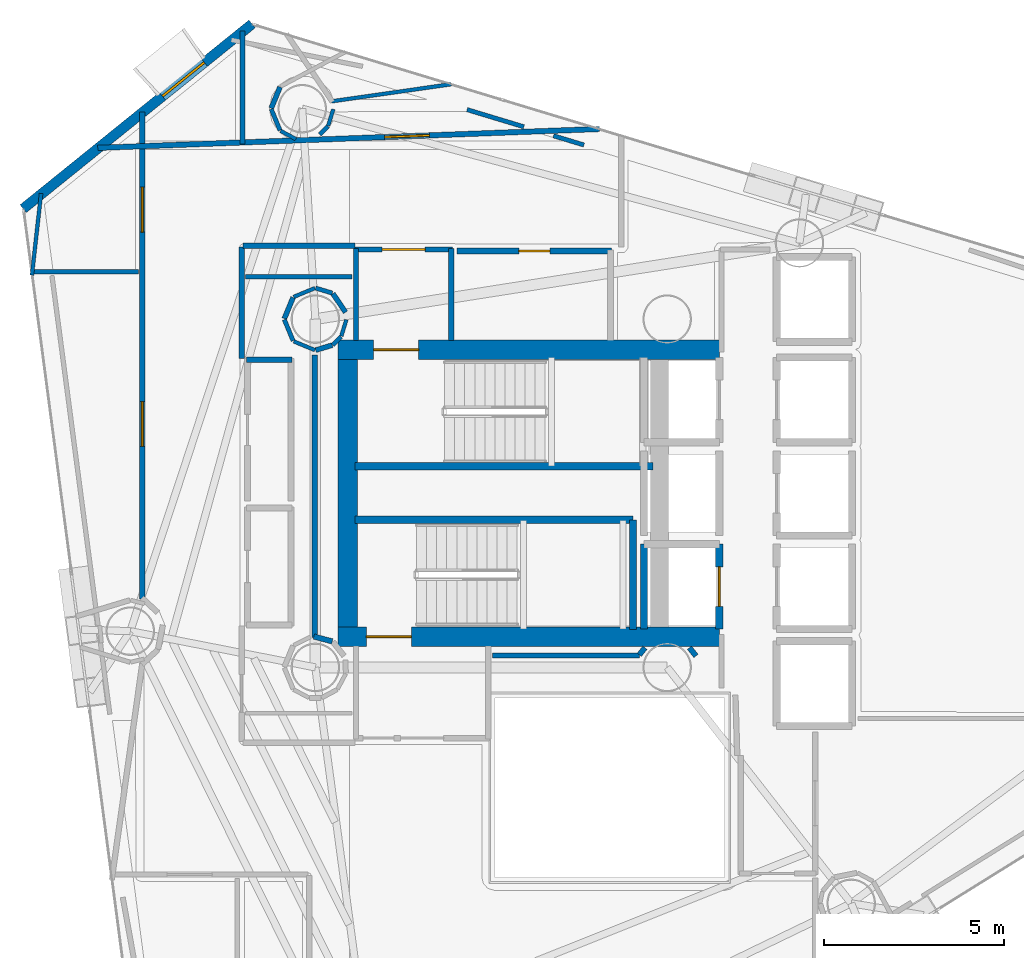
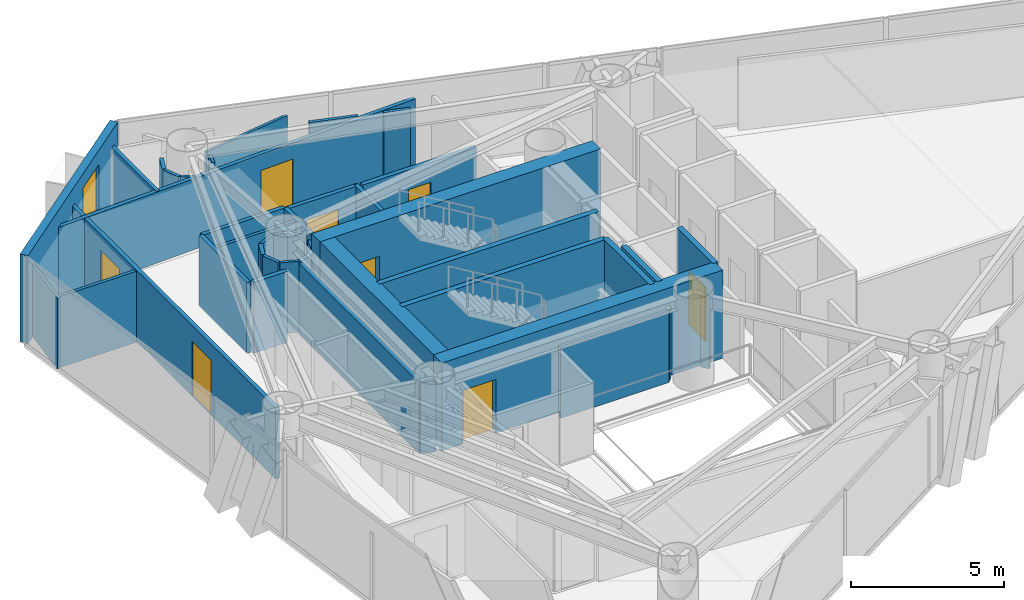
# One storey, part 19 of 22: 44 walls, 8 doors, 1 window, 9 openings.
"""IFC4 building model written with IfcOpenShell, lengths in metres."""

from ifc_helpers import new_model, si_unit, direction, frame, frame_2d, origin, place, context, subcontext, project, spatial, rectangle, extrude, material, layer, layer_set, type_object, element, fill, save


model = new_model("IFC4")

# Units and contexts
model_context = context("Model", 3, precision=1e-05, world=origin(), true_north=direction((0.0, 1.0)))
body_context = subcontext(model_context, "Body", "Model", "MODEL_VIEW")
ifc_project = project(units=[si_unit("LENGTHUNIT", "METRE"), si_unit("AREAUNIT", "SQUARE_METRE"), si_unit("VOLUMEUNIT", "CUBIC_METRE"), si_unit("PLANEANGLEUNIT", "RADIAN"), si_unit("MASSUNIT", "GRAM", prefix="KILO")], contexts=[model_context])

# Site, building, storey
site_placement = place(None, origin())
site = spatial("IfcSite", under=ifc_project, at=site_placement, CompositionType="ELEMENT")
building_placement = place(site_placement, origin())
building = spatial("IfcBuilding", under=site, at=building_placement, Name="Qianvela Tower", CompositionType="ELEMENT")
storey_placement = place(building_placement, frame((0.0, 0.0, 177.199951171875)))
storey = spatial("IfcBuildingStorey", under=building, at=storey_placement, Name="L45", CompositionType="ELEMENT", Elevation=177.199951171875)

# Wall, opening, window
ifc_material_1 = material(Name="Terracotta Cladding on Concrete C40", Category="masonry")
ifc_layer_1 = layer(ifc_material_1, 0.280029296875)
ifc_layer_set_1 = layer_set([ifc_layer_1], Name="Terracotta Cladding on Concrete C40")
wall_type_1 = type_object("IfcWallType", Name="TERRACOTTA-WALL-280", PredefinedType="SOLIDWALL", material=ifc_layer_set_1)
wall_1_placement = place(storey_placement, frame((26.83837890625, 41.77197265625, 0.0), z_axis=(0.0, 0.0, 1.0), x_axis=(-0.778169685425, -0.628054090573, 0.0)))
wall_1 = element("IfcWall", 1, at=wall_1_placement, inside=storey, type_object=wall_type_1, Name="L45 Terracotta Chamfer Facet Wall 3", PredefinedType="SOLIDWALL", context=body_context, shape_type="SweptSolid", body=[
    extrude(rectangle(XDim=8.193603515625, YDim=0.280029296875, at=frame_2d((4.0966796875, 0.0))), origin(), (0.0, 0.0, 1.0), 3.52001953125),
])
opening_1_placement = place(wall_1_placement, frame((1.7080078125, 0.0, 0.85009765625)))
opening_1 = element("IfcOpeningElement", 2, at=opening_1_placement, cuts=wall_1, Name="Opening W-02", PredefinedType="OPENING", context=body_context, shape_type="SweptSolid", body=[
    extrude(rectangle(XDim=1.5, YDim=2.10009765625, at=frame_2d((0.75, 1.050048828125))), frame((0.0, 0.14990234375, 0.0), z_axis=(0.0, -1.0, 0.0), x_axis=(1.0, 0.0, 0.0)), (0.0, 0.0, 1.0), 0.300048828125),
])
ifc_material_2 = material(Name="Thermally Broken Aluminium and Low-E Glass", Category="aluminium")
window_type = type_object("IfcWindowType", Name="WIN-TC-1500x2100", PartitioningType="DOUBLE_PANEL_VERTICAL", PredefinedType="WINDOW", material=ifc_material_2)
window_placement = place(opening_1_placement, origin())
window = element("IfcWindow", 3, at=window_placement, inside=storey, type_object=window_type, Name="L45 Chamfer Facet Window 3.1", OverallHeight=2.10009765625, OverallWidth=1.5, PartitioningType="SINGLE_PANEL", PredefinedType="WINDOW", context=body_context, shape_type="SweptSolid", body=[
    extrude(rectangle(XDim=1.5, YDim=2.10009765625, at=frame_2d((0.75, 1.050048828125))), frame((0.0, 0.030029296875, 0.0), z_axis=(0.0, -1.0, 0.0), x_axis=(1.0, 0.0, 0.0)), (0.0, 0.0, 1.0), 0.06005859375),
])
fill(opening_1, window)

# Wall, opening, door
ifc_material_3 = material(Name="Concrete C60", Category="concrete")
ifc_layer_2 = layer(ifc_material_3, 0.550048828125)
ifc_layer_set_2 = layer_set([ifc_layer_2], Name="Concrete C60")
wall_type_2 = type_object("IfcWallType", Name="WT-CORE-550", PredefinedType="SHEAR", material=ifc_layer_set_2)
wall_2_placement = place(storey_placement, frame((29.22998046875, 32.695068359375, 0.0), z_axis=(0.0, 0.0, 1.0), x_axis=(1.0, 0.0, 0.0)))
wall_2 = element("IfcWall", 4, at=wall_2_placement, inside=storey, type_object=wall_type_2, Name="L45 North Core Shear Wall", PredefinedType="SHEAR", context=body_context, shape_type="SweptSolid", body=[
    extrude(rectangle(XDim=10.6201171875, YDim=0.550048828125, at=frame_2d((5.31005859375, 0.0))), origin(), (0.0, 0.0, 1.0), 3.52001953125),
])
opening_2_placement = place(wall_2_placement, frame((0.9951171875, 0.0, 0.0)))
opening_2 = element("IfcOpeningElement", 5, at=opening_2_placement, cuts=wall_2, Name="Opening D-ST1", PredefinedType="OPENING", context=body_context, shape_type="SweptSolid", body=[
    extrude(rectangle(XDim=1.25, YDim=2.14990234375, at=frame_2d((0.625, 1.074951171875))), frame((0.0, 0.284912109375, 0.0), z_axis=(0.0, -1.0, 0.0), x_axis=(1.0, 0.0, 0.0)), (0.0, 0.0, 1.0), 0.570068359375),
])
ifc_material_4 = material(Name="Galvanised Fire Steel Q355B", Category="steel")
door_type_1 = type_object("IfcDoorType", Name="DT-STAIR-FD90", OperationType="NOTDEFINED", PredefinedType="DOOR", material=ifc_material_4)
door_1_placement = place(opening_2_placement, origin())
door_1 = element("IfcDoor", 6, at=door_1_placement, inside=storey, type_object=door_type_1, Name="L45 Stair ST-1 Exit Door", OperationType="SINGLE_SWING_RIGHT", OverallHeight=2.14990234375, OverallWidth=1.25, PredefinedType="DOOR", context=body_context, shape_type="SweptSolid", body=[
    extrude(rectangle(XDim=1.25, YDim=2.14990234375, at=frame_2d((0.625, 1.074951171875))), frame((0.0, 0.02490234375, 0.0), z_axis=(0.0, -1.0, 0.0), x_axis=(1.0, 0.0, 0.0)), (0.0, 0.0, 1.0), 0.050048828125),
])
fill(opening_2, door_1)

wall_3_placement = place(storey_placement, frame((29.22998046875, 24.705078125, 0.0), z_axis=(0.0, 0.0, 1.0), x_axis=(1.0, 0.0, 0.0)))
wall_3 = element("IfcWall", 7, at=wall_3_placement, inside=storey, type_object=wall_type_2, Name="L45 South Core Shear Wall", PredefinedType="SHEAR", context=body_context, shape_type="SweptSolid", body=[
    extrude(rectangle(XDim=10.6201171875, YDim=0.550048828125, at=frame_2d((5.31005859375, 0.0))), origin(), (0.0, 0.0, 1.0), 3.52001953125),
])
opening_3_placement = place(wall_3_placement, frame((0.794921875, 0.0, 0.0)))
opening_3 = element("IfcOpeningElement", 8, at=opening_3_placement, cuts=wall_3, Name="Opening D-ST1", PredefinedType="OPENING", context=body_context, shape_type="SweptSolid", body=[
    extrude(rectangle(XDim=1.25, YDim=2.14990234375, at=frame_2d((0.625, 1.074951171875))), frame((0.0, 0.284912109375, 0.0), z_axis=(0.0, -1.0, 0.0), x_axis=(1.0, 0.0, 0.0)), (0.0, 0.0, 1.0), 0.570068359375),
])
door_2_placement = place(opening_3_placement, origin())
door_2 = element("IfcDoor", 9, at=door_2_placement, inside=storey, type_object=door_type_1, Name="L45 Stair ST-2 Exit Door", OperationType="SINGLE_SWING_LEFT", OverallHeight=2.14990234375, OverallWidth=1.25, PredefinedType="DOOR", context=body_context, shape_type="SweptSolid", body=[
    extrude(rectangle(XDim=1.25, YDim=2.14990234375, at=frame_2d((0.625, 1.074951171875))), frame((0.0, 0.02490234375, 0.0), z_axis=(0.0, -1.0, 0.0), x_axis=(1.0, 0.0, 0.0)), (0.0, 0.0, 1.0), 0.050048828125),
])
fill(opening_3, door_2)

# Walls
wall_4_placement = place(storey_placement, frame((29.5048828125, 24.97998046875, 0.0), z_axis=(0.0, 0.0, 1.0), x_axis=(0.0, 1.0, 0.0)))
element("IfcWall", 10, at=wall_4_placement, inside=storey, type_object=wall_type_2, Name="L45 West Core Shear Wall", PredefinedType="SHEAR", context=body_context, shape_type="SweptSolid", body=[
    extrude(rectangle(XDim=7.43994140625, YDim=0.550048828125, at=frame_2d((3.719970703125, 0.0))), origin(), (0.0, 0.0, 1.0), 3.52001953125),
])
ifc_material_5 = material(Name="Fire-Rated Acoustic Gypsum Board")
ifc_layer_3 = layer(ifc_material_5, 0.14990234375)
ifc_layer_set_3 = layer_set([ifc_layer_3], Name="Fire-Rated Acoustic Gypsum Board")
wall_type_3 = type_object("IfcWallType", Name="WT-CORR-150", PredefinedType="PARTITIONING", material=ifc_layer_set_3)
wall_5_placement = place(storey_placement, frame((29.73095703125, 32.9580078125, 0.0), z_axis=(0.0, 0.0, 1.0), x_axis=(0.0, 1.0, 0.0)))
element("IfcWall", 11, at=wall_5_placement, inside=storey, type_object=wall_type_3, Name="L45 Partition 2", PredefinedType="PARTITIONING", context=body_context, shape_type="SweptSolid", body=[
    extrude(rectangle(XDim=2.56201171875, YDim=0.14990234375, at=frame_2d((1.281005859375, 0.0))), origin(), (0.0, 0.0, 1.0), 2.840087890625),
])

# Wall, opening, door
wall_6_placement = place(storey_placement, frame((29.699951171875, 35.489013671875, 0.0), z_axis=(0.0, 0.0, 1.0), x_axis=(1.0, 0.0, 0.0)))
wall_6 = element("IfcWall", 12, at=wall_6_placement, inside=storey, type_object=wall_type_3, Name="L45 Partition 3", PredefinedType="PARTITIONING", context=body_context, shape_type="SweptSolid", body=[
    extrude(rectangle(XDim=2.719970703125, YDim=0.14990234375, at=frame_2d((1.35986328125, 0.0))), origin(), (0.0, 0.0, 1.0), 2.840087890625),
])
opening_4_placement = place(wall_6_placement, frame((0.760009765625, 0.0, 0.0)))
opening_4 = element("IfcOpeningElement", 13, at=opening_4_placement, cuts=wall_6, Name="Opening D-LB1", PredefinedType="OPENING", context=body_context, shape_type="SweptSolid", body=[
    extrude(rectangle(XDim=1.199951171875, YDim=2.14990234375, at=frame_2d((0.60009765625, 1.074951171875))), frame((0.0, 0.0849609375, 0.0), z_axis=(0.0, -1.0, 0.0), x_axis=(1.0, 0.0, 0.0)), (0.0, 0.0, 1.0), 0.169921875),
])
ifc_material_6 = material(Name="Glazed Fire-Rated Steel Frame", Category="steel")
door_type_2 = type_object("IfcDoorType", Name="DT-LOBBY-FD90", OperationType="NOTDEFINED", PredefinedType="DOOR", material=ifc_material_6)
door_3_placement = place(opening_4_placement, origin())
door_3 = element("IfcDoor", 14, at=door_3_placement, inside=storey, type_object=door_type_2, Name="L45 Door L45 Firefighting Lobby North to L45 Floor Corridor", OperationType="SINGLE_SWING_LEFT", OverallHeight=2.14990234375, OverallWidth=1.199951171875, PredefinedType="DOOR", context=body_context, shape_type="SweptSolid", body=[
    extrude(rectangle(XDim=1.199951171875, YDim=2.14990234375, at=frame_2d((0.60009765625, 1.074951171875))), frame((0.0, 0.02490234375, 0.0), z_axis=(0.0, -1.0, 0.0), x_axis=(1.0, 0.0, 0.0)), (0.0, 0.0, 1.0), 0.050048828125),
])
fill(opening_4, door_3)

# Walls
wall_7_placement = place(storey_placement, frame((32.388916015625, 35.52001953125, 0.0), z_axis=(0.0, 0.0, 1.0), x_axis=(0.0, -1.0, 0.0)))
element("IfcWall", 15, at=wall_7_placement, inside=storey, type_object=wall_type_3, Name="L45 Partition 4", PredefinedType="PARTITIONING", context=body_context, shape_type="SweptSolid", body=[
    extrude(rectangle(XDim=2.56201171875, YDim=0.14990234375, at=frame_2d((1.281005859375, 0.0))), origin(), (0.0, 0.0, 1.0), 2.840087890625),
])
wall_8_placement = place(storey_placement, frame((29.07177734375, 24.57421875, 0.0), z_axis=(0.0, 0.0, 1.0), x_axis=(-0.966842101769, 0.255374920942, 0.0)))
element("IfcWall", 16, at=wall_8_placement, inside=storey, type_object=wall_type_3, Name="L45 Partition 37", PredefinedType="PARTITIONING", context=body_context, shape_type="SweptSolid", body=[
    extrude(rectangle(XDim=0.531494140625, YDim=0.14990234375, at=frame_2d((0.265625, 0.0))), origin(), (0.0, 0.0, 1.0), 2.840087890625),
])
wall_9_placement = place(storey_placement, frame((28.5810546875, 24.68017578125, 0.0), z_axis=(0.0, 0.0, 1.0), x_axis=(0.0, 1.0, 0.0)))
element("IfcWall", 17, at=wall_9_placement, inside=storey, type_object=wall_type_3, Name="L45 Partition 38", PredefinedType="PARTITIONING", context=body_context, shape_type="SweptSolid", body=[
    extrude(rectangle(XDim=7.869873046875, YDim=0.14990234375, at=frame_2d((3.93505859375, 0.0))), origin(), (0.0, 0.0, 1.0), 2.840087890625),
])
wall_10_placement = place(storey_placement, frame((39.20166015625, 24.169189453125, 0.0), z_axis=(0.0, 0.0, 1.0), x_axis=(-0.622453876994, 0.782656483405, 0.0)))
element("IfcWall", 18, at=wall_10_placement, inside=storey, type_object=wall_type_3, Name="L45 Partition 43", PredefinedType="PARTITIONING", context=body_context, shape_type="SweptSolid", body=[
    extrude(rectangle(XDim=0.29248046875, YDim=0.14990234375, at=frame_2d((0.146240234375, 0.0))), origin(), (0.0, 0.0, 1.0), 2.840087890625),
])
wall_11_placement = place(storey_placement, frame((37.780517578125, 24.398193359375, 0.0), z_axis=(0.0, 0.0, 1.0), x_axis=(-0.622697708845, -0.782462499676, 0.0)))
element("IfcWall", 19, at=wall_11_placement, inside=storey, type_object=wall_type_3, Name="L45 Partition 46", PredefinedType="PARTITIONING", context=body_context, shape_type="SweptSolid", body=[
    extrude(rectangle(XDim=0.253662109375, YDim=0.14990234375, at=frame_2d((0.126953125, 0.0))), origin(), (0.0, 0.0, 1.0), 2.840087890625),
])
wall_12_placement = place(storey_placement, frame((37.62255859375, 24.180908203125, 0.0), z_axis=(0.0, 0.0, 1.0), x_axis=(-1.0, 0.0, 0.0)))
element("IfcWall", 20, at=wall_12_placement, inside=storey, type_object=wall_type_3, Name="L45 Partition 47", PredefinedType="PARTITIONING", context=body_context, shape_type="SweptSolid", body=[
    extrude(rectangle(XDim=4.092529296875, YDim=0.14990234375, at=frame_2d((2.04638671875, 0.0))), origin(), (0.0, 0.0, 1.0), 2.840087890625),
])

# Wall, openings, doors
wall_13_placement = place(storey_placement, frame((23.781005859375, 25.76171875, 0.0), z_axis=(0.0, 0.0, 1.0), x_axis=(0.0, 1.0, 0.0)))
wall_13 = element("IfcWall", 21, at=wall_13_placement, inside=storey, type_object=wall_type_3, Name="L45 Partition 49", PredefinedType="PARTITIONING", context=body_context, shape_type="SweptSolid", body=[
    extrude(rectangle(XDim=13.562744140625, YDim=0.14990234375, at=frame_2d((6.78125, 0.0))), origin(), (0.0, 0.0, 1.0), 2.840087890625),
])
opening_5_placement = place(wall_13_placement, frame((10.2138671875, 0.0, 0.0)))
opening_5 = element("IfcOpeningElement", 22, at=opening_5_placement, cuts=wall_13, Name="Opening D-LG1", PredefinedType="OPENING", context=body_context, shape_type="SweptSolid", body=[
    extrude(rectangle(XDim=1.25, YDim=2.199951171875, at=frame_2d((0.625, 1.10009765625))), frame((0.0, 0.0849609375, 0.0), z_axis=(0.0, -1.0, 0.0), x_axis=(1.0, 0.0, 0.0)), (0.0, 0.0, 1.0), 0.169921875),
])
opening_6_placement = place(wall_13_placement, frame((4.24365234375, 0.0, 0.0)))
opening_6 = element("IfcOpeningElement", 23, at=opening_6_placement, cuts=wall_13, Name="Opening D-LG1", PredefinedType="OPENING", context=body_context, shape_type="SweptSolid", body=[
    extrude(rectangle(XDim=1.25, YDim=2.199951171875, at=frame_2d((0.625, 1.10009765625))), frame((0.0, 0.0849609375, 0.0), z_axis=(0.0, -1.0, 0.0), x_axis=(1.0, 0.0, 0.0)), (0.0, 0.0, 1.0), 0.169921875),
])
ifc_material_7 = material(Name="Anodised Aluminium Acoustic Glass Door", Category="aluminium")
door_type_3 = type_object("IfcDoorType", Name="DT-LOUNGE-1250", OperationType="NOTDEFINED", PredefinedType="DOOR", material=ifc_material_7)
door_4_placement = place(opening_5_placement, origin())
door_4 = element("IfcDoor", 24, at=door_4_placement, inside=storey, type_object=door_type_3, Name="L45 Door Media Practice Cinema L45-06 to L45 Floor Corridor", OperationType="SINGLE_SWING_RIGHT", OverallHeight=2.199951171875, OverallWidth=1.25, PredefinedType="DOOR", context=body_context, shape_type="SweptSolid", body=[
    extrude(rectangle(XDim=1.25, YDim=2.199951171875, at=frame_2d((0.625, 1.10009765625))), frame((0.0, 0.02490234375, 0.0), z_axis=(0.0, -1.0, 0.0), x_axis=(1.0, 0.0, 0.0)), (0.0, 0.0, 1.0), 0.050048828125),
])
fill(opening_5, door_4)
door_5_placement = place(opening_6_placement, origin())
door_5 = element("IfcDoor", 25, at=door_5_placement, inside=storey, type_object=door_type_3, Name="L45 Door Student Wellness Lounge L45-08 to L45 Floor Corridor", OperationType="SINGLE_SWING_LEFT", OverallHeight=2.199951171875, OverallWidth=1.25, PredefinedType="DOOR", context=body_context, shape_type="SweptSolid", body=[
    extrude(rectangle(XDim=1.25, YDim=2.199951171875, at=frame_2d((0.625, 1.10009765625))), frame((0.0, 0.02490234375, 0.0), z_axis=(0.0, -1.0, 0.0), x_axis=(1.0, 0.0, 0.0)), (0.0, 0.0, 1.0), 0.050048828125),
])
fill(opening_6, door_5)

# Wall, opening, door
wall_14_placement = place(storey_placement, frame((22.5400390625, 38.319091796875, 0.0), z_axis=(0.0, 0.0, 1.0), x_axis=(0.999291800656, 0.037628408709, 0.0)))
wall_14 = element("IfcWall", 26, at=wall_14_placement, inside=storey, type_object=wall_type_3, Name="L45 Partition 50", PredefinedType="PARTITIONING", context=body_context, shape_type="SweptSolid", body=[
    extrude(rectangle(XDim=13.982177734375, YDim=0.14990234375, at=frame_2d((6.9912109375, 0.0))), origin(), (0.0, 0.0, 1.0), 2.840087890625),
])
opening_7_placement = place(wall_14_placement, frame((7.9931640625, 0.0, 0.0)))
opening_7 = element("IfcOpeningElement", 27, at=opening_7_placement, cuts=wall_14, Name="Opening D-LG1", PredefinedType="OPENING", context=body_context, shape_type="SweptSolid", body=[
    extrude(rectangle(XDim=1.25, YDim=2.199951171875, at=frame_2d((0.625, 1.10009765625))), frame((0.0, 0.0849609375, 0.0), z_axis=(0.0, -1.0, 0.0), x_axis=(1.0, 0.0, 0.0)), (0.0, 0.0, 1.0), 0.169921875),
])
door_6_placement = place(opening_7_placement, origin())
door_6 = element("IfcDoor", 28, at=door_6_placement, inside=storey, type_object=door_type_3, Name="L45 Door Student Reading Library L45-05 to L45 Floor Corridor", OperationType="SINGLE_SWING_LEFT", OverallHeight=2.199951171875, OverallWidth=1.25, PredefinedType="DOOR", context=body_context, shape_type="SweptSolid", body=[
    extrude(rectangle(XDim=1.25, YDim=2.199951171875, at=frame_2d((0.625, 1.10009765625))), frame((0.0, 0.02490234375, 0.0), z_axis=(0.0, -1.0, 0.0), x_axis=(1.0, 0.0, 0.0)), (0.0, 0.0, 1.0), 0.050048828125),
])
fill(opening_7, door_6)

# Walls
wall_15_placement = place(storey_placement, frame((29.699951171875, 35.591064453125, 0.0), z_axis=(0.0, 0.0, 1.0), x_axis=(-1.0, 0.0, 0.0)))
element("IfcWall", 29, at=wall_15_placement, inside=storey, type_object=wall_type_3, Name="L45 Partition 53 seg 3", PredefinedType="PARTITIONING", context=body_context, shape_type="SweptSolid", body=[
    extrude(rectangle(XDim=3.119873046875, YDim=0.14990234375, at=frame_2d((1.56005859375, 0.0))), origin(), (0.0, 0.0, 1.0), 2.840087890625),
])
wall_16_placement = place(storey_placement, frame((26.549072265625, 35.56005859375, 0.0), z_axis=(0.0, 0.0, 1.0), x_axis=(0.0, -1.0, 0.0)))
element("IfcWall", 30, at=wall_16_placement, inside=storey, type_object=wall_type_3, Name="L45 Partition 54 seg 1", PredefinedType="PARTITIONING", context=body_context, shape_type="SweptSolid", body=[
    extrude(rectangle(XDim=3.110107421875, YDim=0.14990234375, at=frame_2d((1.55517578125, 0.0))), origin(), (0.0, 0.0, 1.0), 2.840087890625),
])
ifc_material_8 = material(Name="Lightweight Gypsum Room Partition")
ifc_layer_4 = layer(ifc_material_8, 0.10498046875)
ifc_layer_set_4 = layer_set([ifc_layer_4], Name="Lightweight Gypsum Room Partition")
wall_type_4 = type_object("IfcWallType", Name="WT-PART-105", PredefinedType="PARTITIONING", material=ifc_layer_set_4)
wall_17_placement = place(storey_placement, frame((32.38818359375, 40.0927734375, 0.0), z_axis=(0.0, 0.0, 1.0), x_axis=(-0.989927757158, -0.141573428328, 0.0)))
element("IfcWall", 31, at=wall_17_placement, inside=storey, type_object=wall_type_4, Name="L45 Partition 109", PredefinedType="PARTITIONING", context=body_context, shape_type="SweptSolid", body=[
    extrude(rectangle(XDim=3.371337890625, YDim=0.10498046875, at=frame_2d((1.685546875, 0.0))), origin(), (0.0, 0.0, 1.0), 2.840087890625),
])
wall_18_placement = place(storey_placement, frame((27.6298828125, 38.793212890625, 0.0), z_axis=(0.0, 0.0, 1.0), x_axis=(0.882018256262, -0.471215232798, 0.0)))
element("IfcWall", 32, at=wall_18_placement, inside=storey, type_object=wall_type_4, Name="L45 Partition 115", PredefinedType="PARTITIONING", context=body_context, shape_type="SweptSolid", body=[
    extrude(rectangle(XDim=0.48486328125, YDim=0.10498046875, at=frame_2d((0.242431640625, 0.0))), origin(), (0.0, 0.0, 1.0), 2.840087890625),
])
wall_19_placement = place(storey_placement, frame((28.958984375, 38.93798828125, 0.0), z_axis=(0.0, 0.0, 1.0), x_axis=(0.292866596221, 0.956153312402, 0.0)))
element("IfcWall", 33, at=wall_19_placement, inside=storey, type_object=wall_type_4, Name="L45 Partition 118", PredefinedType="PARTITIONING", context=body_context, shape_type="SweptSolid", body=[
    extrude(rectangle(XDim=0.478515625, YDim=0.10498046875, at=frame_2d((0.2392578125, 0.0))), origin(), (0.0, 0.0, 1.0), 2.840087890625),
])
wall_20_placement = place(storey_placement, frame((20.706787109375, 34.77392578125, 0.0), z_axis=(0.0, 0.0, 1.0), x_axis=(0.111437069181, 0.993771492654, 0.0)))
element("IfcWall", 34, at=wall_20_placement, inside=storey, type_object=wall_type_4, Name="L45 Partition 127", PredefinedType="PARTITIONING", context=body_context, shape_type="SweptSolid", body=[
    extrude(rectangle(XDim=2.29150390625, YDim=0.10498046875, at=frame_2d((1.145751953125, 0.0))), origin(), (0.0, 0.0, 1.0), 2.840087890625),
])
for number, where, z_axis, x_axis, name in (
    (35, (28.588134765625, 34.41357421875, 0.0), (0.0, 0.0, 1.0), (-0.923956302996, -0.382498039412, 0.0), "L45 Partition 136"),
    (36, (27.997802734375, 32.930908203125, 0.0), (0.0, 0.0, 1.0), (0.923821221018, -0.382824178437, 0.0), "L45 Partition 139"),
):
    element("IfcWall", number, at=place(storey_placement, frame(where, z_axis=z_axis, x_axis=x_axis)), inside=storey, type_object=wall_type_4, Name=name, PredefinedType="PARTITIONING", context=body_context, shape_type="SweptSolid", body=[
        extrude(rectangle(XDim=0.638916015625, YDim=0.10498046875, at=frame_2d((0.3193359375, 0.0))), origin(), (0.0, 0.0, 1.0), 2.840087890625),
    ])
wall_21_placement = place(storey_placement, frame((29.323974609375, 33.076904296875, 0.0), z_axis=(0.0, 0.0, 1.0), x_axis=(0.292866596221, 0.956153312402, 0.0)))
element("IfcWall", 37, at=wall_21_placement, inside=storey, type_object=wall_type_4, Name="L45 Partition 142", PredefinedType="PARTITIONING", context=body_context, shape_type="SweptSolid", body=[
    extrude(rectangle(XDim=0.478515625, YDim=0.10498046875, at=frame_2d((0.2392578125, 0.0))), origin(), (0.0, 0.0, 1.0), 2.840087890625),
])
ifc_material_9 = material(Name="Insulated Gypsum Stud Partition")
ifc_layer_5 = layer(ifc_material_9, 0.1201171875)
ifc_layer_set_5 = layer_set([ifc_layer_5], Name="Insulated Gypsum Stud Partition")
wall_type_5 = type_object("IfcWallType", Name="WT-PART-120", PredefinedType="PARTITIONING", material=ifc_layer_set_5)
wall_22_placement = place(storey_placement, frame((27.371337890625, 39.399169921875, 0.0), z_axis=(0.0, 0.0, 1.0), x_axis=(0.38268910224, -0.923877183952, 0.0)))
element("IfcWall", 38, at=wall_22_placement, inside=storey, type_object=wall_type_5, Name="L45 Partition 114", PredefinedType="PARTITIONING", context=body_context, shape_type="SweptSolid", body=[
    extrude(rectangle(XDim=0.63916015625, YDim=0.1201171875, at=frame_2d((0.319580078125, 0.0))), origin(), (0.0, 0.0, 1.0), 2.840087890625),
])
wall_23_placement = place(storey_placement, frame((28.720703125, 38.69482421875, 0.0), z_axis=(0.0, 0.0, 1.0), x_axis=(0.707106781187, 0.707106781187, 0.0)))
element("IfcWall", 39, at=wall_23_placement, inside=storey, type_object=wall_type_5, Name="L45 Partition 117", PredefinedType="PARTITIONING", context=body_context, shape_type="SweptSolid", body=[
    extrude(rectangle(XDim=0.325927734375, YDim=0.1201171875, at=frame_2d((0.1630859375, 0.0))), origin(), (0.0, 0.0, 1.0), 2.840087890625),
])
wall_24_placement = place(storey_placement, frame((32.827392578125, 39.38427734375, 0.0), z_axis=(0.0, 0.0, 1.0), x_axis=(0.957152366176, -0.28958478538, 0.0)))
element("IfcWall", 40, at=wall_24_placement, inside=storey, type_object=wall_type_5, Name="L45 Partition 120", PredefinedType="PARTITIONING", context=body_context, shape_type="SweptSolid", body=[
    extrude(rectangle(XDim=1.651611328125, YDim=0.1201171875, at=frame_2d((0.82568359375, 0.0))), origin(), (0.0, 0.0, 1.0), 2.840087890625),
])
wall_25_placement = place(storey_placement, frame((23.669921875, 34.873046875, 0.0), z_axis=(0.0, 0.0, 1.0), x_axis=(-1.0, 0.0, 0.0)))
element("IfcWall", 41, at=wall_25_placement, inside=storey, type_object=wall_type_5, Name="L45 Partition 126", PredefinedType="PARTITIONING", context=body_context, shape_type="SweptSolid", body=[
    extrude(rectangle(XDim=2.99609375, YDim=0.1201171875, at=frame_2d((1.498046875, 0.0))), origin(), (0.0, 0.0, 1.0), 2.840087890625),
])
wall_26_placement = place(storey_placement, frame((26.659912109375, 34.72705078125, 0.0), z_axis=(0.0, 0.0, 1.0), x_axis=(1.0, 0.0, 0.0)))
element("IfcWall", 42, at=wall_26_placement, inside=storey, type_object=wall_type_5, Name="L45 Partition 132", PredefinedType="PARTITIONING", context=body_context, shape_type="SweptSolid", body=[
    extrude(rectangle(XDim=2.960205078125, YDim=0.1201171875, at=frame_2d((1.47998046875, 0.0))), origin(), (0.0, 0.0, 1.0), 2.840087890625),
])
wall_27_placement = place(storey_placement, frame((29.072998046875, 34.27392578125, 0.0), z_axis=(0.0, 0.0, 1.0), x_axis=(-0.956893067978, 0.290440452511, 0.0)))
element("IfcWall", 43, at=wall_27_placement, inside=storey, type_object=wall_type_5, Name="L45 Partition 135", PredefinedType="PARTITIONING", context=body_context, shape_type="SweptSolid", body=[
    extrude(rectangle(XDim=0.485107421875, YDim=0.1201171875, at=frame_2d((0.24267578125, 0.0))), origin(), (0.0, 0.0, 1.0), 2.840087890625),
])
wall_28_placement = place(storey_placement, frame((27.736328125, 33.5380859375, 0.0), z_axis=(0.0, 0.0, 1.0), x_axis=(0.382824178437, -0.923821221018, 0.0)))
element("IfcWall", 44, at=wall_28_placement, inside=storey, type_object=wall_type_5, Name="L45 Partition 138", PredefinedType="PARTITIONING", context=body_context, shape_type="SweptSolid", body=[
    extrude(rectangle(XDim=0.638916015625, YDim=0.1201171875, at=frame_2d((0.3193359375, 0.0))), origin(), (0.0, 0.0, 1.0), 2.840087890625),
])
wall_29_placement = place(storey_placement, frame((29.085693359375, 32.833740234375, 0.0), z_axis=(0.0, 0.0, 1.0), x_axis=(0.707106781187, 0.707106781187, 0.0)))
element("IfcWall", 45, at=wall_29_placement, inside=storey, type_object=wall_type_5, Name="L45 Partition 141", PredefinedType="PARTITIONING", context=body_context, shape_type="SweptSolid", body=[
    extrude(rectangle(XDim=0.325927734375, YDim=0.1201171875, at=frame_2d((0.1630859375, 0.0))), origin(), (0.0, 0.0, 1.0), 2.840087890625),
])
wall_30_placement = place(storey_placement, frame((35.23193359375, 38.65673828125, 0.0), z_axis=(0.0, 0.0, 1.0), x_axis=(0.957186559989, -0.289471741932, 0.0)))
element("IfcWall", 46, at=wall_30_placement, inside=storey, type_object=wall_type_5, Name="L45 Partition 120 trim 1", PredefinedType="PARTITIONING", context=body_context, shape_type="SweptSolid", body=[
    extrude(rectangle(XDim=0.885498046875, YDim=0.1201171875, at=frame_2d((0.44287109375, 0.0))), origin(), (0.0, 0.0, 1.0), 2.840087890625),
])

# Wall, opening, door
ifc_material_10 = material(Name="Sanitary Service Chase Partition")
ifc_layer_6 = layer(ifc_material_10, 0.1650390625)
ifc_layer_set_6 = layer_set([ifc_layer_6], Name="Sanitary Service Chase Partition")
wall_type_6 = type_object("IfcWallType", Name="WT-PLUMB-165", PredefinedType="PLUMBINGWALL", material=ifc_layer_set_6)
wall_31_placement = place(storey_placement, frame((32.550048828125, 35.448974609375, 0.0), z_axis=(0.0, 0.0, 1.0), x_axis=(1.0, 0.0, 0.0)))
wall_31 = element("IfcWall", 47, at=wall_31_placement, inside=storey, type_object=wall_type_6, Name="L45 Partition 22", PredefinedType="PLUMBINGWALL", context=body_context, shape_type="SweptSolid", body=[
    extrude(rectangle(XDim=4.300048828125, YDim=0.1650390625, at=frame_2d((2.14990234375, 0.0))), origin(), (0.0, 0.0, 1.0), 2.840087890625),
])
opening_8_placement = place(wall_31_placement, frame((1.719970703125, 0.0, 0.0)))
opening_8 = element("IfcOpeningElement", 48, at=opening_8_placement, cuts=wall_31, Name="Opening D-WC1", PredefinedType="OPENING", context=body_context, shape_type="SweptSolid", body=[
    extrude(rectangle(XDim=0.860107421875, YDim=2.050048828125, at=frame_2d((0.43017578125, 1.02490234375))), frame((0.0, 0.092529296875, 0.0), z_axis=(0.0, -1.0, 0.0), x_axis=(1.0, 0.0, 0.0)), (0.0, 0.0, 1.0), 0.18505859375),
])
ifc_material_11 = material(Name="Moisture-Sealed Acoustic Timber Door", Category="wood")
door_type_4 = type_object("IfcDoorType", Name="DT-WC-860", OperationType="NOTDEFINED", PredefinedType="DOOR", material=ifc_material_11)
door_7_placement = place(opening_8_placement, origin())
door_7 = element("IfcDoor", 49, at=door_7_placement, inside=storey, type_object=door_type_4, Name="L45 Door L45 Accessible WC to L45 Floor Corridor", OperationType="SINGLE_SWING_RIGHT", OverallHeight=2.050048828125, OverallWidth=0.860107421875, PredefinedType="DOOR", context=body_context, shape_type="SweptSolid", body=[
    extrude(rectangle(XDim=0.860107421875, YDim=2.050048828125, at=frame_2d((0.43017578125, 1.02490234375))), frame((0.0, 0.02490234375, 0.0), z_axis=(0.0, -1.0, 0.0), x_axis=(1.0, 0.0, 0.0)), (0.0, 0.0, 1.0), 0.050048828125),
])
fill(opening_8, door_7)

# Walls
wall_32_placement = place(storey_placement, frame((26.679931640625, 32.4189453125, 0.0), z_axis=(0.0, 0.0, 1.0), x_axis=(1.0, 0.0, 0.0)))
element("IfcWall", 50, at=wall_32_placement, inside=storey, type_object=wall_type_6, Name="L45 Partition 29", PredefinedType="PLUMBINGWALL", context=body_context, shape_type="SweptSolid", body=[
    extrude(rectangle(XDim=1.27001953125, YDim=0.1650390625, at=frame_2d((0.635009765625, 0.0))), origin(), (0.0, 0.0, 1.0), 2.840087890625),
])
ifc_material_12 = material(Name="Acoustic Double Gypsum Stud Partition")
ifc_layer_7 = layer(ifc_material_12, 0.139892578125)
ifc_layer_set_7 = layer_set([ifc_layer_7], Name="Acoustic Double Gypsum Stud Partition")
wall_type_7 = type_object("IfcWallType", Name="WT-ROOM-140", PredefinedType="PARTITIONING", material=ifc_layer_set_7)
wall_33_placement = place(storey_placement, frame((27.615966796875, 40.01318359375, 0.0), z_axis=(0.0, 0.0, 1.0), x_axis=(-0.382824178437, -0.923821221018, 0.0)))
element("IfcWall", 51, at=wall_33_placement, inside=storey, type_object=wall_type_7, Name="L45 Partition 113", PredefinedType="PARTITIONING", context=body_context, shape_type="SweptSolid", body=[
    extrude(rectangle(XDim=0.638916015625, YDim=0.139892578125, at=frame_2d((0.3193359375, 0.0))), origin(), (0.0, 0.0, 1.0), 2.840087890625),
])
wall_34_placement = place(storey_placement, frame((26.572998046875, 38.429931640625, 0.0), z_axis=(0.0, 0.0, 1.0), x_axis=(0.0, 1.0, 0.0)))
element("IfcWall", 52, at=wall_34_placement, inside=storey, type_object=wall_type_7, Name="L45 Partition 122", PredefinedType="PARTITIONING", context=body_context, shape_type="SweptSolid", body=[
    extrude(rectangle(XDim=3.14794921875, YDim=0.139892578125, at=frame_2d((1.573974609375, 0.0))), origin(), (0.0, 0.0, 1.0), 2.840087890625),
])
wall_35_placement = place(storey_placement, frame((29.44140625, 33.74072265625, 0.0), z_axis=(0.0, 0.0, 1.0), x_axis=(-0.559619584068, 0.828749613048, 0.0)))
element("IfcWall", 53, at=wall_35_placement, inside=storey, type_object=wall_type_7, Name="L45 Partition 134", PredefinedType="PARTITIONING", context=body_context, shape_type="SweptSolid", body=[
    extrude(rectangle(XDim=0.628662109375, YDim=0.139892578125, at=frame_2d((0.314453125, 0.0))), origin(), (0.0, 0.0, 1.0), 2.840087890625),
])
wall_36_placement = place(storey_placement, frame((27.98095703125, 34.15234375, 0.0), z_axis=(0.0, 0.0, 1.0), x_axis=(-0.382824178437, -0.923821221018, 0.0)))
element("IfcWall", 54, at=wall_36_placement, inside=storey, type_object=wall_type_7, Name="L45 Partition 137", PredefinedType="PARTITIONING", context=body_context, shape_type="SweptSolid", body=[
    extrude(rectangle(XDim=0.638916015625, YDim=0.139892578125, at=frame_2d((0.3193359375, 0.0))), origin(), (0.0, 0.0, 1.0), 2.840087890625),
])
wall_37_placement = place(storey_placement, frame((28.60888671875, 32.685302734375, 0.0), z_axis=(0.0, 0.0, 1.0), x_axis=(0.956893067978, 0.290440452511, 0.0)))
element("IfcWall", 55, at=wall_37_placement, inside=storey, type_object=wall_type_7, Name="L45 Partition 140", PredefinedType="PARTITIONING", context=body_context, shape_type="SweptSolid", body=[
    extrude(rectangle(XDim=0.485107421875, YDim=0.139892578125, at=frame_2d((0.24267578125, 0.0))), origin(), (0.0, 0.0, 1.0), 2.840087890625),
])
ifc_material_13 = material(Name="Concrete C50", Category="concrete")
ifc_layer_8 = layer(ifc_material_13, 0.199951171875)
ifc_layer_set_8 = layer_set([ifc_layer_8], Name="Concrete C50")
wall_type_8 = type_object("IfcWallType", Name="WT-SHAFT-200", PredefinedType="SOLIDWALL", material=ifc_layer_set_8)
wall_38_placement = place(storey_placement, frame((29.699951171875, 29.449951171875, 0.0), z_axis=(0.0, 0.0, 1.0), x_axis=(1.0, 0.0, 0.0)))
element("IfcWall", 56, at=wall_38_placement, inside=storey, type_object=wall_type_8, Name="L45 Stair ST-1 South Wall", PredefinedType="SOLIDWALL", context=body_context, shape_type="SweptSolid", body=[
    extrude(rectangle(XDim=8.300048828125, YDim=0.199951171875, at=frame_2d((4.14990234375, 0.0))), origin(), (0.0, 0.0, 1.0), 3.52001953125),
])
wall_39_placement = place(storey_placement, frame((29.699951171875, 27.9599609375, 0.0), z_axis=(0.0, 0.0, 1.0), x_axis=(1.0, 0.0, 0.0)))
element("IfcWall", 57, at=wall_39_placement, inside=storey, type_object=wall_type_8, Name="L45 Stair ST-2 North Wall", PredefinedType="SOLIDWALL", context=body_context, shape_type="SweptSolid", body=[
    extrude(rectangle(XDim=7.75, YDim=0.199951171875, at=frame_2d((3.875, 0.0))), origin(), (0.0, 0.0, 1.0), 3.52001953125),
])
wall_40_placement = place(storey_placement, frame((37.449951171875, 24.89990234375, 0.0), z_axis=(0.0, 0.0, 1.0), x_axis=(0.0, 1.0, 0.0)))
element("IfcWall", 58, at=wall_40_placement, inside=storey, type_object=wall_type_8, Name="L45 Stair ST-2 East Wall", PredefinedType="SOLIDWALL", context=body_context, shape_type="SweptSolid", body=[
    extrude(rectangle(XDim=3.06005859375, YDim=0.199951171875, at=frame_2d((1.530029296875, 0.0))), origin(), (0.0, 0.0, 1.0), 3.52001953125),
])

# Wall, opening, door
wall_41_placement = place(storey_placement, frame((39.85009765625, 24.919921875, 0.0), z_axis=(0.0, 0.0, 1.0), x_axis=(0.0, 1.0, 0.0)))
wall_41 = element("IfcWall", 59, at=wall_41_placement, inside=storey, type_object=wall_type_8, Name="L45 Lift FL-2 E Shaft Wall", PredefinedType="SOLIDWALL", context=body_context, shape_type="SweptSolid", body=[
    extrude(rectangle(XDim=2.360107421875, YDim=0.199951171875, at=frame_2d((1.18017578125, 0.0))), origin(), (0.0, 0.0, 1.0), 3.52001953125),
])
opening_9_placement = place(wall_41_placement, frame((0.6298828125, 0.0, 0.0)))
opening_9 = element("IfcOpeningElement", 60, at=opening_9_placement, cuts=wall_41, Name="Opening LD-01", PredefinedType="OPENING", context=body_context, shape_type="SweptSolid", body=[
    extrude(rectangle(XDim=1.10009765625, YDim=2.14990234375, at=frame_2d((0.550048828125, 1.074951171875))), frame((0.0, 0.10986328125, 0.0), z_axis=(0.0, -1.0, 0.0), x_axis=(1.0, 0.0, 0.0)), (0.0, 0.0, 1.0), 0.219970703125),
])
ifc_material_14 = material(Name="Brushed Stainless Steel Lift Landing Door", Category="steel")
door_type_5 = type_object("IfcDoorType", Name="DT-LIFT-SLIDE-1100", OperationType="SLIDING_TO_LEFT", PredefinedType="DOOR", material=ifc_material_14)
door_8_placement = place(opening_9_placement, origin())
door_8 = element("IfcDoor", 61, at=door_8_placement, inside=storey, type_object=door_type_5, Name="L45 Lift FL-2 Sliding Landing Door", OperationType="SLIDING_TO_LEFT", OverallHeight=2.14990234375, OverallWidth=1.10009765625, PredefinedType="DOOR", context=body_context, shape_type="SweptSolid", body=[
    extrude(rectangle(XDim=1.10009765625, YDim=2.14990234375, at=frame_2d((0.550048828125, 1.074951171875))), frame((0.0, 0.02490234375, 0.0), z_axis=(0.0, -1.0, 0.0), x_axis=(1.0, 0.0, 0.0)), (0.0, 0.0, 1.0), 0.050048828125),
])
fill(opening_9, door_8)

# Wall
wall_42_placement = place(storey_placement, frame((37.75, 24.919921875, 0.0), z_axis=(0.0, 0.0, 1.0), x_axis=(0.0, 1.0, 0.0)))
element("IfcWall", 62, at=wall_42_placement, inside=storey, type_object=wall_type_8, Name="L45 Lift FL-2 W Shaft Wall", PredefinedType="SOLIDWALL", context=body_context, shape_type="SweptSolid", body=[
    extrude(rectangle(XDim=2.360107421875, YDim=0.199951171875, at=frame_2d((1.18017578125, 0.0))), origin(), (0.0, 0.0, 1.0), 3.52001953125),
])

save(model, "model.ifc")
